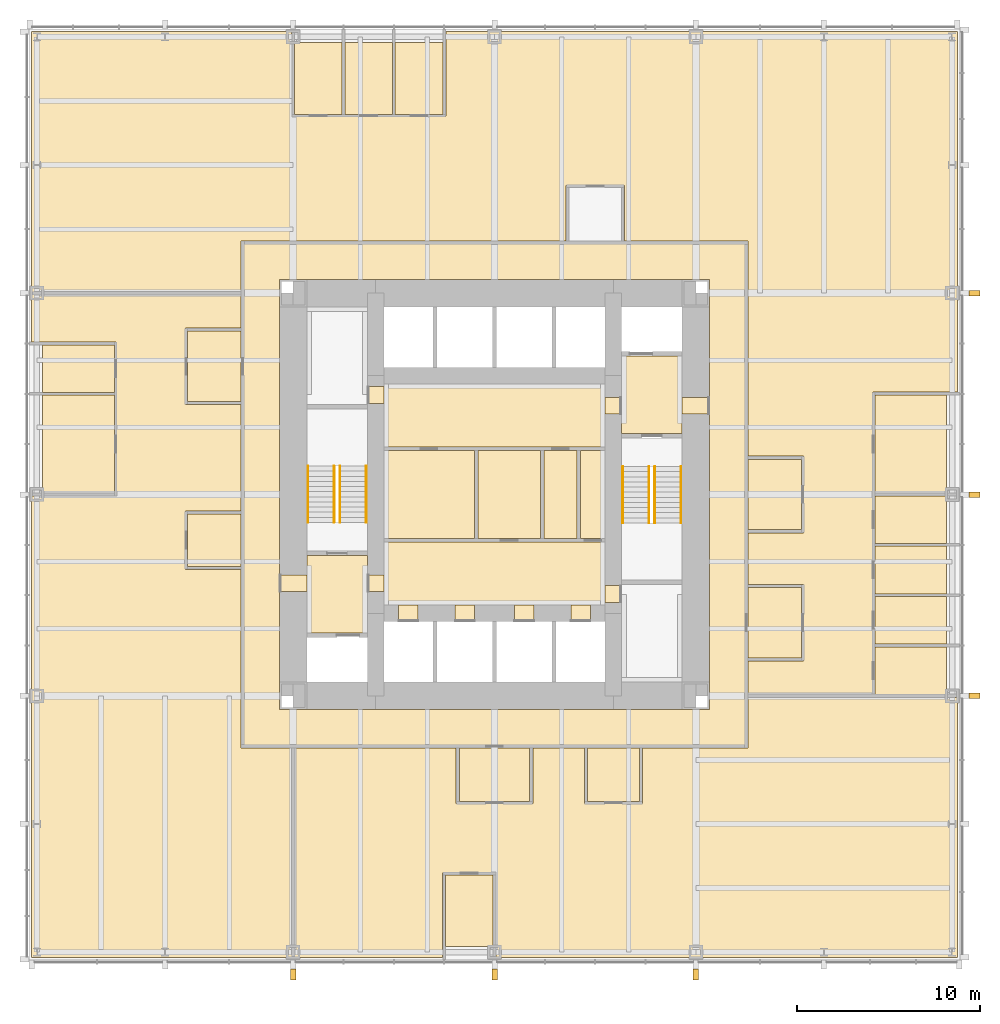
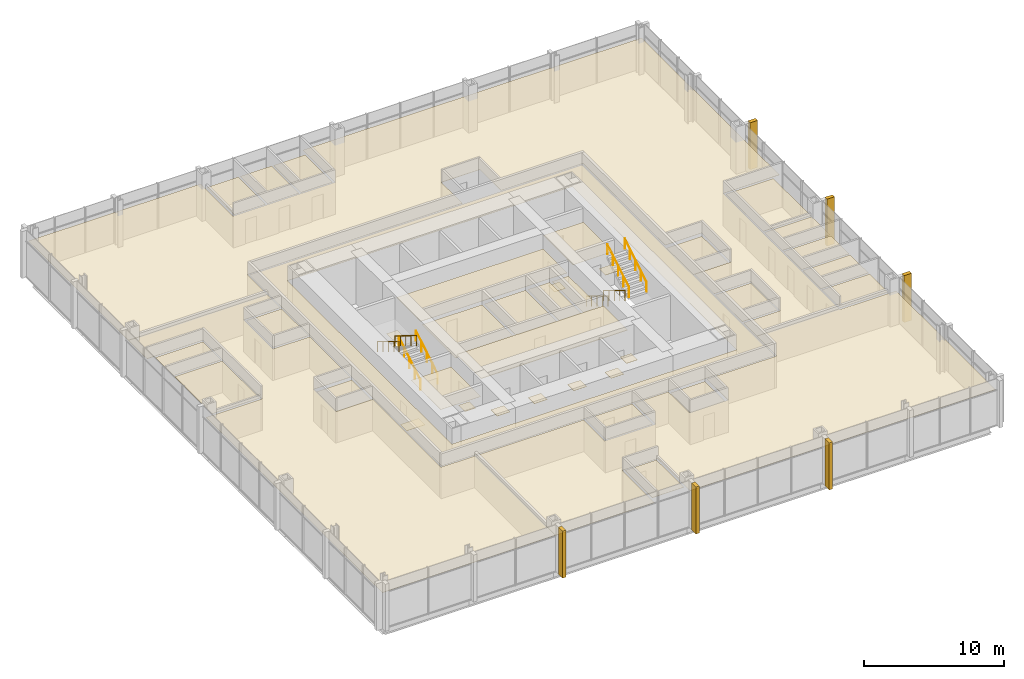
# One storey, part 12 of 12: 45 coverings, 8 railings.
"""IFC4 building model written with IfcOpenShell, lengths in metres."""

from ifc_helpers import new_model, si_unit, direction, frame, origin, origin_2d, place, context, subcontext, project, spatial, polyline, rectangle, circle, outline, extrude, material, layer, layer_set, type_object, element, save


model = new_model("IFC4")

# Units and contexts
model_context = context("Model", 3, precision=1e-05, world=origin(), true_north=direction((0.0, 1.0)))
body_context = subcontext(model_context, "Body", "Model", "MODEL_VIEW")
ifc_project = project(units=[si_unit("LENGTHUNIT", "METRE"), si_unit("AREAUNIT", "SQUARE_METRE"), si_unit("VOLUMEUNIT", "CUBIC_METRE"), si_unit("PLANEANGLEUNIT", "RADIAN"), si_unit("MASSUNIT", "GRAM", prefix="KILO")], contexts=[model_context])

# Site, building, storey
site_placement = place(None, origin())
site = spatial("IfcSite", under=ifc_project, at=site_placement, CompositionType="ELEMENT")
building_placement = place(site_placement, origin())
building = spatial("IfcBuilding", under=site, at=building_placement, Name="Trevanion Tower", CompositionType="ELEMENT")
storey_placement = place(building_placement, frame((0.0, 0.0, 32.39990234375)))
storey = spatial("IfcBuildingStorey", under=building, at=storey_placement, Name="L07", CompositionType="ELEMENT", Elevation=32.39990234375)

# Coverings
ifc_material_1 = material(Name="Fibrous plaster coffers on suspended steel grid", Category="steel")
ifc_layer_1 = layer(ifc_material_1, 0.050048828125)
ifc_layer_set_1 = layer_set([ifc_layer_1], Name="CL1 coffered fibrous plaster ceiling 50")
covering_type_1 = type_object("IfcCoveringType", Name="CL1 coffered fibrous plaster ceiling 50", PredefinedType="CEILING", material=ifc_layer_set_1)
covering_1_placement = place(storey_placement, frame((0.0, 0.0, 3.0)))
element("IfcCovering", 1, at=covering_1_placement, inside=storey, type_object=covering_type_1, Name="CL1 L07-LBS", PredefinedType="CEILING", context=body_context, shape_type="SweptSolid", body=[
    extrude(outline(polyline([(6.050048828125, -6.050048828125), (6.050048828125, -2.60009765625), (-6.050048828125, -2.60009765625), (-6.050048828125, -6.050048828125), (6.050048828125, -6.050048828125)])), origin(), (0.0, 0.0, 1.0), 0.050048828125),
])
ifc_material_2 = material(Name="Mineral fibre acoustic tiles in exposed grid", Category="mineral fibre")
ifc_layer_2 = layer(ifc_material_2, 0.02001953125)
ifc_layer_set_2 = layer_set([ifc_layer_2], Name="CL2 acoustic tile ceiling 20")
covering_type_2 = type_object("IfcCoveringType", Name="CL2 acoustic tile ceiling 20", PredefinedType="CEILING", material=ifc_layer_set_2)
covering_2_placement = place(storey_placement, frame((0.0, 0.0, 2.75)))
element("IfcCovering", 2, at=covering_2_placement, inside=storey, type_object=covering_type_2, Name="CL2 L07-LBN", PredefinedType="CEILING", context=body_context, shape_type="SweptSolid", body=[
    extrude(outline(polyline([(6.050048828125, 2.60009765625), (6.050048828125, 6.050048828125), (-6.050048828125, 6.050048828125), (-6.050048828125, 2.60009765625), (6.050048828125, 2.60009765625)])), origin(), (0.0, 0.0, 1.0), 0.02001953125),
])
covering_3_placement = place(storey_placement, frame((0.0, 0.0, 2.75)))
element("IfcCovering", 3, at=covering_3_placement, inside=storey, type_object=covering_type_2, Name="CL2 L07-CO", PredefinedType="CEILING", context=body_context, shape_type="SweptSolid", body=[
    extrude(outline(polyline([(-13.75, 13.75), (13.75, 13.75), (13.75, -13.75), (-13.75, -13.75), (-13.75, 13.75)]), holes=[polyline([(-11.75, 11.75), (-11.75, -11.75), (11.75, -11.75), (11.75, 11.75), (-11.75, 11.75)])]), origin(), (0.0, 0.0, 1.0), 0.02001953125),
])
covering_4_placement = place(storey_placement, frame((0.0, 0.0, 2.75)))
element("IfcCovering", 4, at=covering_4_placement, inside=storey, type_object=covering_type_2, Name="CL2 L07-OF", PredefinedType="CEILING", context=body_context, shape_type="SweptSolid", body=[
    extrude(outline(polyline([(20.77490234375, -10.925048828125), (20.77490234375, -8.324951171875), (24.699951171875, -8.324951171875), (24.699951171875, -10.925048828125), (20.77490234375, -10.925048828125)])), origin(), (0.0, 0.0, 1.0), 0.02001953125),
])
covering_5_placement = place(storey_placement, frame((0.0, 0.0, 2.75)))
element("IfcCovering", 5, at=covering_5_placement, inside=storey, type_object=covering_type_2, Name="CL2 L07-OF2", PredefinedType="CEILING", context=body_context, shape_type="SweptSolid", body=[
    extrude(outline(polyline([(20.77490234375, -8.175048828125), (20.77490234375, -5.574951171875), (24.699951171875, -5.574951171875), (24.699951171875, -8.175048828125), (20.77490234375, -8.175048828125)])), origin(), (0.0, 0.0, 1.0), 0.02001953125),
])
covering_6_placement = place(storey_placement, frame((0.0, 0.0, 2.75)))
element("IfcCovering", 6, at=covering_6_placement, inside=storey, type_object=covering_type_2, Name="CL2 L07-OF3", PredefinedType="CEILING", context=body_context, shape_type="SweptSolid", body=[
    extrude(outline(polyline([(20.77490234375, -5.425048828125), (20.77490234375, -2.824951171875), (24.699951171875, -2.824951171875), (24.699951171875, -5.425048828125), (20.77490234375, -5.425048828125)])), origin(), (0.0, 0.0, 1.0), 0.02001953125),
])
covering_7_placement = place(storey_placement, frame((0.0, 0.0, 2.75)))
element("IfcCovering", 7, at=covering_7_placement, inside=storey, type_object=covering_type_2, Name="CL2 L07-OF4", PredefinedType="CEILING", context=body_context, shape_type="SweptSolid", body=[
    extrude(outline(polyline([(20.77490234375, -2.675048828125), (20.77490234375, -0.074951171875), (24.699951171875, -0.074951171875), (24.699951171875, -2.675048828125), (20.77490234375, -2.675048828125)])), origin(), (0.0, 0.0, 1.0), 0.02001953125),
])
covering_8_placement = place(storey_placement, frame((0.0, 0.0, 2.75)))
element("IfcCovering", 8, at=covering_8_placement, inside=storey, type_object=covering_type_2, Name="CL2 L07-MR", PredefinedType="CEILING", context=body_context, shape_type="SweptSolid", body=[
    extrude(outline(polyline([(20.77490234375, 0.074951171875), (20.77490234375, 5.425048828125), (24.699951171875, 5.425048828125), (24.699951171875, 0.074951171875), (20.77490234375, 0.074951171875)])), origin(), (0.0, 0.0, 1.0), 0.02001953125),
])
covering_9_placement = place(storey_placement, frame((0.0, 0.0, 2.75)))
element("IfcCovering", 9, at=covering_9_placement, inside=storey, type_object=covering_type_2, Name="CL2 L07-OF5", PredefinedType="CEILING", context=body_context, shape_type="SweptSolid", body=[
    extrude(outline(polyline([(-2.824951171875, 20.77490234375), (-5.425048828125, 20.77490234375), (-5.425048828125, 24.699951171875), (-2.824951171875, 24.699951171875), (-2.824951171875, 20.77490234375)])), origin(), (0.0, 0.0, 1.0), 0.02001953125),
])
covering_10_placement = place(storey_placement, frame((0.0, 0.0, 2.75)))
element("IfcCovering", 10, at=covering_10_placement, inside=storey, type_object=covering_type_2, Name="CL2 L07-OF6", PredefinedType="CEILING", context=body_context, shape_type="SweptSolid", body=[
    extrude(outline(polyline([(-5.574951171875, 20.77490234375), (-8.175048828125, 20.77490234375), (-8.175048828125, 24.699951171875), (-5.574951171875, 24.699951171875), (-5.574951171875, 20.77490234375)])), origin(), (0.0, 0.0, 1.0), 0.02001953125),
])
covering_11_placement = place(storey_placement, frame((0.0, 0.0, 2.75)))
element("IfcCovering", 11, at=covering_11_placement, inside=storey, type_object=covering_type_2, Name="CL2 L07-OF7", PredefinedType="CEILING", context=body_context, shape_type="SweptSolid", body=[
    extrude(outline(polyline([(-8.324951171875, 20.77490234375), (-10.925048828125, 20.77490234375), (-10.925048828125, 24.699951171875), (-8.324951171875, 24.699951171875), (-8.324951171875, 20.77490234375)])), origin(), (0.0, 0.0, 1.0), 0.02001953125),
])
covering_12_placement = place(storey_placement, frame((0.0, 0.0, 2.75)))
element("IfcCovering", 12, at=covering_12_placement, inside=storey, type_object=covering_type_2, Name="CL2 L07-OF8", PredefinedType="CEILING", context=body_context, shape_type="SweptSolid", body=[
    extrude(outline(polyline([(-20.77490234375, 8.175048828125), (-20.77490234375, 5.574951171875), (-24.699951171875, 5.574951171875), (-24.699951171875, 8.175048828125), (-20.77490234375, 8.175048828125)])), origin(), (0.0, 0.0, 1.0), 0.02001953125),
])
covering_13_placement = place(storey_placement, frame((0.0, 0.0, 2.75)))
element("IfcCovering", 13, at=covering_13_placement, inside=storey, type_object=covering_type_2, Name="CL2 L07-MR2", PredefinedType="CEILING", context=body_context, shape_type="SweptSolid", body=[
    extrude(outline(polyline([(-20.77490234375, 5.425048828125), (-20.77490234375, 0.074951171875), (-24.699951171875, 0.074951171875), (-24.699951171875, 5.425048828125), (-20.77490234375, 5.425048828125)])), origin(), (0.0, 0.0, 1.0), 0.02001953125),
])
covering_14_placement = place(storey_placement, frame((0.0, 0.0, 2.75)))
element("IfcCovering", 14, at=covering_14_placement, inside=storey, type_object=covering_type_2, Name="CL2 L07-FR", PredefinedType="CEILING", context=body_context, shape_type="SweptSolid", body=[
    extrude(outline(polyline([(-2.675048828125, -20.77490234375), (-0.074951171875, -20.77490234375), (-0.074951171875, -24.699951171875), (-2.675048828125, -24.699951171875), (-2.675048828125, -20.77490234375)])), origin(), (0.0, 0.0, 1.0), 0.02001953125),
])
covering_15_placement = place(storey_placement, frame((0.0, 0.0, 2.75)))
element("IfcCovering", 15, at=covering_15_placement, inside=storey, type_object=covering_type_2, Name="CL2 L07-RC", PredefinedType="CEILING", context=body_context, shape_type="SweptSolid", body=[
    extrude(outline(polyline([(13.85009765625, -8.925048828125), (13.85009765625, -5.074951171875), (16.77490234375, -5.074951171875), (16.77490234375, -8.925048828125), (13.85009765625, -8.925048828125)])), origin(), (0.0, 0.0, 1.0), 0.02001953125),
])
covering_16_placement = place(storey_placement, frame((0.0, 0.0, 2.75)))
element("IfcCovering", 16, at=covering_16_placement, inside=storey, type_object=covering_type_2, Name="CL2 L07-RC2", PredefinedType="CEILING", context=body_context, shape_type="SweptSolid", body=[
    extrude(outline(polyline([(-13.85009765625, 8.925048828125), (-13.85009765625, 5.074951171875), (-16.77490234375, 5.074951171875), (-16.77490234375, 8.925048828125), (-13.85009765625, 8.925048828125)])), origin(), (0.0, 0.0, 1.0), 0.02001953125),
])
covering_17_placement = place(storey_placement, frame((0.0, 0.0, 2.75)))
element("IfcCovering", 17, at=covering_17_placement, inside=storey, type_object=covering_type_2, Name="CL2 L07-RC3", PredefinedType="CEILING", context=body_context, shape_type="SweptSolid", body=[
    extrude(outline(polyline([(-1.925048828125, -13.85009765625), (1.925048828125, -13.85009765625), (1.925048828125, -16.77490234375), (-1.925048828125, -16.77490234375), (-1.925048828125, -13.85009765625)])), origin(), (0.0, 0.0, 1.0), 0.02001953125),
])
covering_18_placement = place(storey_placement, frame((0.0, 0.0, 2.75)))
element("IfcCovering", 18, at=covering_18_placement, inside=storey, type_object=covering_type_2, Name="CL2 L07-OP", PredefinedType="CEILING", context=body_context, shape_type="SweptSolid", body=[
    extrude(outline(polyline([(13.85009765625, 13.85009765625), (7.094970703125, 13.85009765625), (7.094970703125, 16.8701171875), (3.905029296875, 16.8701171875), (3.905029296875, 13.85009765625), (-13.85009765625, 13.85009765625), (-13.85009765625, 11.0), (-25.300048828125, 11.0), (-25.300048828125, 25.300048828125), (-11.094970703125, 25.300048828125), (-11.094970703125, 20.679931640625), (-2.655029296875, 20.679931640625), (-2.655029296875, 25.300048828125), (25.300048828125, 25.300048828125), (25.300048828125, 5.594970703125), (20.679931640625, 5.594970703125), (20.679931640625, -11.0), (13.85009765625, -11.0), (13.85009765625, -9.094970703125), (16.8701171875, -9.094970703125), (16.8701171875, -4.905029296875), (13.85009765625, -4.905029296875), (13.85009765625, -2.094970703125), (16.8701171875, -2.094970703125), (16.8701171875, 2.094970703125), (13.85009765625, 2.094970703125), (13.85009765625, 13.85009765625)])), origin(), (0.0, 0.0, 1.0), 0.02001953125),
])
covering_19_placement = place(storey_placement, frame((0.0, 0.0, 2.75)))
element("IfcCovering", 19, at=covering_19_placement, inside=storey, type_object=covering_type_2, Name="CL2 L07-OP2", PredefinedType="CEILING", context=body_context, shape_type="SweptSolid", body=[
    extrude(outline(polyline([(-13.85009765625, 9.094970703125), (-16.8701171875, 9.094970703125), (-16.8701171875, 4.905029296875), (-13.85009765625, 4.905029296875), (-13.85009765625, -0.905029296875), (-16.8701171875, -0.905029296875), (-16.8701171875, -4.094970703125), (-13.85009765625, -4.094970703125), (-13.85009765625, -13.85009765625), (-11.0, -13.85009765625), (-11.0, -25.300048828125), (-25.300048828125, -25.300048828125), (-25.300048828125, -0.094970703125), (-20.679931640625, -0.094970703125), (-20.679931640625, 8.344970703125), (-25.300048828125, 8.344970703125), (-25.300048828125, 11.0), (-13.85009765625, 11.0), (-13.85009765625, 9.094970703125)])), origin(), (0.0, 0.0, 1.0), 0.02001953125),
])
covering_20_placement = place(storey_placement, frame((0.0, 0.0, 2.75)))
element("IfcCovering", 20, at=covering_20_placement, inside=storey, type_object=covering_type_2, Name="CL2 L07-OP3", PredefinedType="CEILING", context=body_context, shape_type="SweptSolid", body=[
    extrude(outline(polyline([(-2.094970703125, -13.85009765625), (-2.094970703125, -16.8701171875), (2.094970703125, -16.8701171875), (2.094970703125, -13.85009765625), (4.905029296875, -13.85009765625), (4.905029296875, -16.8701171875), (8.094970703125, -16.8701171875), (8.094970703125, -13.85009765625), (13.85009765625, -13.85009765625), (13.85009765625, -11.0), (20.679931640625, -11.0), (20.679931640625, -11.094970703125), (25.300048828125, -11.094970703125), (25.300048828125, -25.300048828125), (0.094970703125, -25.300048828125), (0.094970703125, -20.679931640625), (-2.844970703125, -20.679931640625), (-2.844970703125, -25.300048828125), (-11.0, -25.300048828125), (-11.0, -13.85009765625), (-2.094970703125, -13.85009765625)])), origin(), (0.0, 0.0, 1.0), 0.02001953125),
])
ifc_material_3 = material(Name="Gypsum plasterboard on suspended metal furring", Category="gypsum")
ifc_layer_3 = layer(ifc_material_3, 0.012939453125)
ifc_layer_set_3 = layer_set([ifc_layer_3], Name="CL3 plasterboard ceiling 13")
covering_type_3 = type_object("IfcCoveringType", Name="CL3 plasterboard ceiling 13", PredefinedType="CEILING", material=ifc_layer_set_3)
covering_21_placement = place(storey_placement, frame((0.0, 0.0, 2.7001953125)))
element("IfcCovering", 21, at=covering_21_placement, inside=storey, type_object=covering_type_3, Name="CL3 L07-FV1", PredefinedType="CEILING", context=body_context, shape_type="SweptSolid", body=[
    extrude(outline(polyline([(10.25, 3.324951171875), (10.25, 7.574951171875), (6.949951171875, 7.574951171875), (6.949951171875, 3.324951171875), (10.25, 3.324951171875)])), origin(), (0.0, 0.0, 1.0), 0.012939453125),
])
covering_22_placement = place(storey_placement, frame((0.0, 0.0, 2.7001953125)))
element("IfcCovering", 22, at=covering_22_placement, inside=storey, type_object=covering_type_3, Name="CL3 L07-FV2", PredefinedType="CEILING", context=body_context, shape_type="SweptSolid", body=[
    extrude(outline(polyline([(-10.25, -3.324951171875), (-10.25, -7.574951171875), (-6.949951171875, -7.574951171875), (-6.949951171875, -3.324951171875), (-10.25, -3.324951171875)])), origin(), (0.0, 0.0, 1.0), 0.012939453125),
])
ifc_material_4 = material(Name="Moisture-resistant gypsum board on suspended metal furring", Category="gypsum")
ifc_layer_4 = layer(ifc_material_4, 0.01611328125)
ifc_layer_set_4 = layer_set([ifc_layer_4], Name="CL4 moisture-resistant board ceiling 16")
covering_type_4 = type_object("IfcCoveringType", Name="CL4 moisture-resistant board ceiling 16", PredefinedType="CEILING", material=ifc_layer_set_4)
covering_23_placement = place(storey_placement, frame((0.0, 0.0, 2.60009765625)))
element("IfcCovering", 23, at=covering_23_placement, inside=storey, type_object=covering_type_4, Name="CL4 L07-WCM", PredefinedType="CEILING", context=body_context, shape_type="SweptSolid", body=[
    extrude(outline(polyline([(-1.10009765625, -2.39990234375), (-1.10009765625, 2.39990234375), (-6.050048828125, 2.39990234375), (-6.050048828125, -2.39990234375), (-1.10009765625, -2.39990234375)])), origin(), (0.0, 0.0, 1.0), 0.01611328125),
])
covering_24_placement = place(storey_placement, frame((0.0, 0.0, 2.60009765625)))
element("IfcCovering", 24, at=covering_24_placement, inside=storey, type_object=covering_type_4, Name="CL4 L07-WCF", PredefinedType="CEILING", context=body_context, shape_type="SweptSolid", body=[
    extrude(outline(polyline([(2.5, -2.39990234375), (2.5, 2.39990234375), (-0.89990234375, 2.39990234375), (-0.89990234375, -2.39990234375), (2.5, -2.39990234375)])), origin(), (0.0, 0.0, 1.0), 0.01611328125),
])
covering_25_placement = place(storey_placement, frame((0.0, 0.0, 2.60009765625)))
element("IfcCovering", 25, at=covering_25_placement, inside=storey, type_object=covering_type_4, Name="CL4 L07-WCA", PredefinedType="CEILING", context=body_context, shape_type="SweptSolid", body=[
    extrude(outline(polyline([(4.5, -2.39990234375), (4.5, 2.39990234375), (2.699951171875, 2.39990234375), (2.699951171875, -2.39990234375), (4.5, -2.39990234375)])), origin(), (0.0, 0.0, 1.0), 0.01611328125),
])
covering_26_placement = place(storey_placement, frame((0.0, 0.0, 2.60009765625)))
element("IfcCovering", 26, at=covering_26_placement, inside=storey, type_object=covering_type_4, Name="CL4 L07-SH", PredefinedType="CEILING", context=body_context, shape_type="SweptSolid", body=[
    extrude(outline(polyline([(6.050048828125, -2.39990234375), (6.050048828125, 2.39990234375), (4.699951171875, 2.39990234375), (4.699951171875, -2.39990234375), (6.050048828125, -2.39990234375)])), origin(), (0.0, 0.0, 1.0), 0.01611328125),
])
covering_27_placement = place(storey_placement, frame((0.0, 0.0, 2.60009765625)))
element("IfcCovering", 27, at=covering_27_placement, inside=storey, type_object=covering_type_4, Name="CL4 L07-PA", PredefinedType="CEILING", context=body_context, shape_type="SweptSolid", body=[
    extrude(outline(polyline([(13.85009765625, -1.925048828125), (13.85009765625, 1.925048828125), (16.77490234375, 1.925048828125), (16.77490234375, -1.925048828125), (13.85009765625, -1.925048828125)])), origin(), (0.0, 0.0, 1.0), 0.01611328125),
])
covering_28_placement = place(storey_placement, frame((0.0, 0.0, 2.60009765625)))
element("IfcCovering", 28, at=covering_28_placement, inside=storey, type_object=covering_type_4, Name="CL4 L07-PA2", PredefinedType="CEILING", context=body_context, shape_type="SweptSolid", body=[
    extrude(outline(polyline([(-13.85009765625, -1.074951171875), (-13.85009765625, -3.925048828125), (-16.77490234375, -3.925048828125), (-16.77490234375, -1.074951171875), (-13.85009765625, -1.074951171875)])), origin(), (0.0, 0.0, 1.0), 0.01611328125),
])
covering_29_placement = place(storey_placement, frame((0.0, 0.0, 2.60009765625)))
element("IfcCovering", 29, at=covering_29_placement, inside=storey, type_object=covering_type_4, Name="CL4 L07-PA3", PredefinedType="CEILING", context=body_context, shape_type="SweptSolid", body=[
    extrude(outline(polyline([(5.074951171875, -13.85009765625), (7.925048828125, -13.85009765625), (7.925048828125, -16.77490234375), (5.074951171875, -16.77490234375), (5.074951171875, -13.85009765625)])), origin(), (0.0, 0.0, 1.0), 0.01611328125),
])
ifc_material_5 = material(Name="Cast bronze fin on aluminium carrier", Category="aluminium")
covering_type_5 = type_object("IfcCoveringType", Name="F1 bronze fin", PredefinedType="CLADDING", material=ifc_material_5)
for number, where, z_axis, x_axis, name in (
    (30, (26.22509765625, -11.0, -0.18994140625), (0.0, 0.0, 1.0), (0.0, 1.0, 0.0), "F1 L07 east -11.0"),
    (31, (26.22509765625, 0.0, -0.18994140625), (0.0, 0.0, 1.0), (0.0, 1.0, 0.0), "F1 L07 east +0.0"),
    (32, (26.22509765625, 11.0, -0.18994140625), (0.0, 0.0, 1.0), (0.0, 1.0, 0.0), "F1 L07 east +11.0"),
    (33, (-11.0, -26.22509765625, -0.18994140625), (0.0, 0.0, 1.0), (1.0, 0.0, 0.0), "F1 L07 south -11.0"),
    (34, (0.0, -26.22509765625, -0.18994140625), (0.0, 0.0, 1.0), (1.0, 0.0, 0.0), "F1 L07 south +0.0"),
    (35, (11.0, -26.22509765625, -0.18994140625), (0.0, 0.0, 1.0), (1.0, 0.0, 0.0), "F1 L07 south +11.0"),
):
    element("IfcCovering", number, at=place(storey_placement, frame(where, z_axis=z_axis, x_axis=x_axis)), inside=storey, type_object=covering_type_5, Name=name, PredefinedType="CLADDING", context=body_context, shape_type="SweptSolid", body=[
        extrude(rectangle(XDim=0.300048828125, YDim=0.60009765625, at=origin_2d()), origin(), (0.0, 0.0, 1.0), 4.10009765625),
    ])
ifc_material_6 = material(Name="Terrazzo, brass divider strips", Category="stone")
ifc_layer_5 = layer(ifc_material_6, 0.02001953125)
ifc_layer_set_5 = layer_set([ifc_layer_5], Name="FF1 terrazzo flooring")
covering_type_6 = type_object("IfcCoveringType", Name="FF1 terrazzo flooring", PredefinedType="FLOORING", material=ifc_layer_set_5)
covering_30_placement = place(storey_placement, origin())
element("IfcCovering", 36, at=covering_30_placement, inside=storey, type_object=covering_type_6, Name="FF1 threshold 07-001", PredefinedType="FLOORING", context=body_context, shape_type="SweptSolid", body=[
    extrude(outline(polyline([(11.75, 4.392578125), (11.75, 5.3076171875), (10.25, 5.3076171875), (10.25, 4.392578125), (11.75, 4.392578125)])), origin(), (0.0, 0.0, 1.0), 0.02001953125),
])
covering_31_placement = place(storey_placement, origin())
element("IfcCovering", 37, at=covering_31_placement, inside=storey, type_object=covering_type_6, Name="FF1 threshold 07-002", PredefinedType="FLOORING", context=body_context, shape_type="SweptSolid", body=[
    extrude(outline(polyline([(-11.75, -4.392578125), (-11.75, -5.3076171875), (-10.25, -5.3076171875), (-10.25, -4.392578125), (-11.75, -4.392578125)])), origin(), (0.0, 0.0, 1.0), 0.02001953125),
])
covering_32_placement = place(storey_placement, origin())
element("IfcCovering", 38, at=covering_32_placement, inside=storey, type_object=covering_type_6, Name="FF1 threshold 07-003", PredefinedType="FLOORING", context=body_context, shape_type="SweptSolid", body=[
    extrude(outline(polyline([(6.949951171875, 4.392578125), (6.949951171875, 5.3076171875), (6.050048828125, 5.3076171875), (6.050048828125, 4.392578125), (6.949951171875, 4.392578125)])), origin(), (0.0, 0.0, 1.0), 0.02001953125),
])
covering_33_placement = place(storey_placement, origin())
element("IfcCovering", 39, at=covering_33_placement, inside=storey, type_object=covering_type_6, Name="FF1 threshold 07-004", PredefinedType="FLOORING", context=body_context, shape_type="SweptSolid", body=[
    extrude(outline(polyline([(-6.949951171875, -4.392578125), (-6.949951171875, -5.3076171875), (-6.050048828125, -5.3076171875), (-6.050048828125, -4.392578125), (-6.949951171875, -4.392578125)])), origin(), (0.0, 0.0, 1.0), 0.02001953125),
])
covering_34_placement = place(storey_placement, origin())
element("IfcCovering", 40, at=covering_34_placement, inside=storey, type_object=covering_type_6, Name="FF1 threshold 07-009", PredefinedType="FLOORING", context=body_context, shape_type="SweptSolid", body=[
    extrude(outline(polyline([(6.949951171875, -5.889892578125), (6.949951171875, -4.97509765625), (6.050048828125, -4.97509765625), (6.050048828125, -5.889892578125), (6.949951171875, -5.889892578125)])), origin(), (0.0, 0.0, 1.0), 0.02001953125),
])
covering_35_placement = place(storey_placement, origin())
element("IfcCovering", 41, at=covering_35_placement, inside=storey, type_object=covering_type_6, Name="FF1 threshold 07-010", PredefinedType="FLOORING", context=body_context, shape_type="SweptSolid", body=[
    extrude(outline(polyline([(-6.949951171875, 5.889892578125), (-6.949951171875, 4.97509765625), (-6.050048828125, 4.97509765625), (-6.050048828125, 5.889892578125), (-6.949951171875, 5.889892578125)])), origin(), (0.0, 0.0, 1.0), 0.02001953125),
])
covering_36_placement = place(storey_placement, origin())
element("IfcCovering", 42, at=covering_36_placement, inside=storey, type_object=covering_type_6, Name="FF1 threshold 07-011", PredefinedType="FLOORING", context=body_context, shape_type="SweptSolid", body=[
    extrude(outline(polyline([(-5.2333984375, -6.949951171875), (-4.16650390625, -6.949951171875), (-4.16650390625, -6.050048828125), (-5.2333984375, -6.050048828125), (-5.2333984375, -6.949951171875)])), origin(), (0.0, 0.0, 1.0), 0.02001953125),
])
covering_37_placement = place(storey_placement, origin())
element("IfcCovering", 43, at=covering_37_placement, inside=storey, type_object=covering_type_6, Name="FF1 threshold 07-012", PredefinedType="FLOORING", context=body_context, shape_type="SweptSolid", body=[
    extrude(outline(polyline([(-2.158447265625, -6.949951171875), (-1.091552734375, -6.949951171875), (-1.091552734375, -6.050048828125), (-2.158447265625, -6.050048828125), (-2.158447265625, -6.949951171875)])), origin(), (0.0, 0.0, 1.0), 0.02001953125),
])
covering_38_placement = place(storey_placement, origin())
element("IfcCovering", 44, at=covering_38_placement, inside=storey, type_object=covering_type_6, Name="FF1 threshold 07-013", PredefinedType="FLOORING", context=body_context, shape_type="SweptSolid", body=[
    extrude(outline(polyline([(1.091552734375, -6.949951171875), (2.158447265625, -6.949951171875), (2.158447265625, -6.050048828125), (1.091552734375, -6.050048828125), (1.091552734375, -6.949951171875)])), origin(), (0.0, 0.0, 1.0), 0.02001953125),
])
covering_39_placement = place(storey_placement, origin())
element("IfcCovering", 45, at=covering_39_placement, inside=storey, type_object=covering_type_6, Name="FF1 threshold 07-014", PredefinedType="FLOORING", context=body_context, shape_type="SweptSolid", body=[
    extrude(outline(polyline([(4.16650390625, -6.949951171875), (5.2333984375, -6.949951171875), (5.2333984375, -6.050048828125), (4.16650390625, -6.050048828125), (4.16650390625, -6.949951171875)])), origin(), (0.0, 0.0, 1.0), 0.02001953125),
])

# Railings
ifc_material_7 = material(Name="Stainless steel tube 40 mm", Category="steel")
railing_type = type_object("IfcRailingType", Name="HR1 handrail", PredefinedType="HANDRAIL", material=ifc_material_7)
for number, where, name in (
    (46, (7.010009765625, 1.52490234375, 0.1708984375), "HR1 ST1 L07 flight 1"),
    (47, (8.43994140625, 1.52490234375, 0.1708984375), "HR1 ST1 L07 flight 1"),
):
    element("IfcRailing", number, at=place(storey_placement, frame(where)), inside=storey, type_object=railing_type, Name=name, PredefinedType="HANDRAIL", context=body_context, shape_type="SweptSolid", body=[
        extrude(circle(Radius=0.02001953125, at=origin_2d()), frame((0.0, 0.0, 0.8798828125), z_axis=(0.0, -0.853647949592, 0.520850437417), x_axis=(1.0, 0.0, 0.0)), (0.0, 0.0, 1.0), 3.60791015625),
        extrude(circle(Radius=0.01513671875, at=origin_2d()), origin(), (0.0, 0.0, 1.0), 0.85986328125),
        extrude(circle(Radius=0.01513671875, at=origin_2d()), frame((0.0, -0.77001953125, 0.4697265625)), (0.0, 0.0, 1.0), 0.85986328125),
        extrude(circle(Radius=0.01513671875, at=origin_2d()), frame((0.0, -1.5400390625, 0.939453125)), (0.0, 0.0, 1.0), 0.85986328125),
        extrude(circle(Radius=0.01513671875, at=origin_2d()), frame((0.0, -2.309814453125, 1.409423828125)), (0.0, 0.0, 1.0), 0.85986328125),
        extrude(circle(Radius=0.01513671875, at=origin_2d()), frame((0.0, -3.079833984375, 1.879150390625)), (0.0, 0.0, 1.0), 0.85986328125),
    ])
for number, where, name in (
    (48, (8.760009765625, -1.554931640625, 2.220947265625), "HR1 ST1 L07 flight 2"),
    (49, (10.18994140625, -1.554931640625, 2.220947265625), "HR1 ST1 L07 flight 2"),
    (50, (-7.010009765625, -1.52490234375, 0.1708984375), "HR1 ST2 L07 flight 1"),
    (51, (-8.43994140625, -1.52490234375, 0.1708984375), "HR1 ST2 L07 flight 1"),
):
    element("IfcRailing", number, at=place(storey_placement, frame(where)), inside=storey, type_object=railing_type, Name=name, PredefinedType="HANDRAIL", context=body_context, shape_type="SweptSolid", body=[
        extrude(circle(Radius=0.02001953125, at=origin_2d()), frame((0.0, 0.0, 0.8798828125), z_axis=(0.0, 0.853647949592, 0.520850437417), x_axis=(-1.0, 0.0, 0.0)), (0.0, 0.0, 1.0), 3.60791015625),
        extrude(circle(Radius=0.01513671875, at=origin_2d()), origin(), (0.0, 0.0, 1.0), 0.85986328125),
        extrude(circle(Radius=0.01513671875, at=origin_2d()), frame((0.0, 0.77001953125, 0.4697265625)), (0.0, 0.0, 1.0), 0.85986328125),
        extrude(circle(Radius=0.01513671875, at=origin_2d()), frame((0.0, 1.5400390625, 0.939453125)), (0.0, 0.0, 1.0), 0.85986328125),
        extrude(circle(Radius=0.01513671875, at=origin_2d()), frame((0.0, 2.309814453125, 1.409423828125)), (0.0, 0.0, 1.0), 0.85986328125),
        extrude(circle(Radius=0.01513671875, at=origin_2d()), frame((0.0, 3.079833984375, 1.879150390625)), (0.0, 0.0, 1.0), 0.85986328125),
    ])
for number, where, name in (
    (52, (-8.760009765625, 1.554931640625, 2.220947265625), "HR1 ST2 L07 flight 2"),
    (53, (-10.18994140625, 1.554931640625, 2.220947265625), "HR1 ST2 L07 flight 2"),
):
    element("IfcRailing", number, at=place(storey_placement, frame(where)), inside=storey, type_object=railing_type, Name=name, PredefinedType="HANDRAIL", context=body_context, shape_type="SweptSolid", body=[
        extrude(circle(Radius=0.02001953125, at=origin_2d()), frame((0.0, 0.0, 0.8798828125), z_axis=(0.0, -0.853647949592, 0.520850437417), x_axis=(1.0, 0.0, 0.0)), (0.0, 0.0, 1.0), 3.60791015625),
        extrude(circle(Radius=0.01513671875, at=origin_2d()), origin(), (0.0, 0.0, 1.0), 0.85986328125),
        extrude(circle(Radius=0.01513671875, at=origin_2d()), frame((0.0, -0.77001953125, 0.4697265625)), (0.0, 0.0, 1.0), 0.85986328125),
        extrude(circle(Radius=0.01513671875, at=origin_2d()), frame((0.0, -1.5400390625, 0.939453125)), (0.0, 0.0, 1.0), 0.85986328125),
        extrude(circle(Radius=0.01513671875, at=origin_2d()), frame((0.0, -2.309814453125, 1.409423828125)), (0.0, 0.0, 1.0), 0.85986328125),
        extrude(circle(Radius=0.01513671875, at=origin_2d()), frame((0.0, -3.079833984375, 1.879150390625)), (0.0, 0.0, 1.0), 0.85986328125),
    ])

save(model, "model.ifc")
